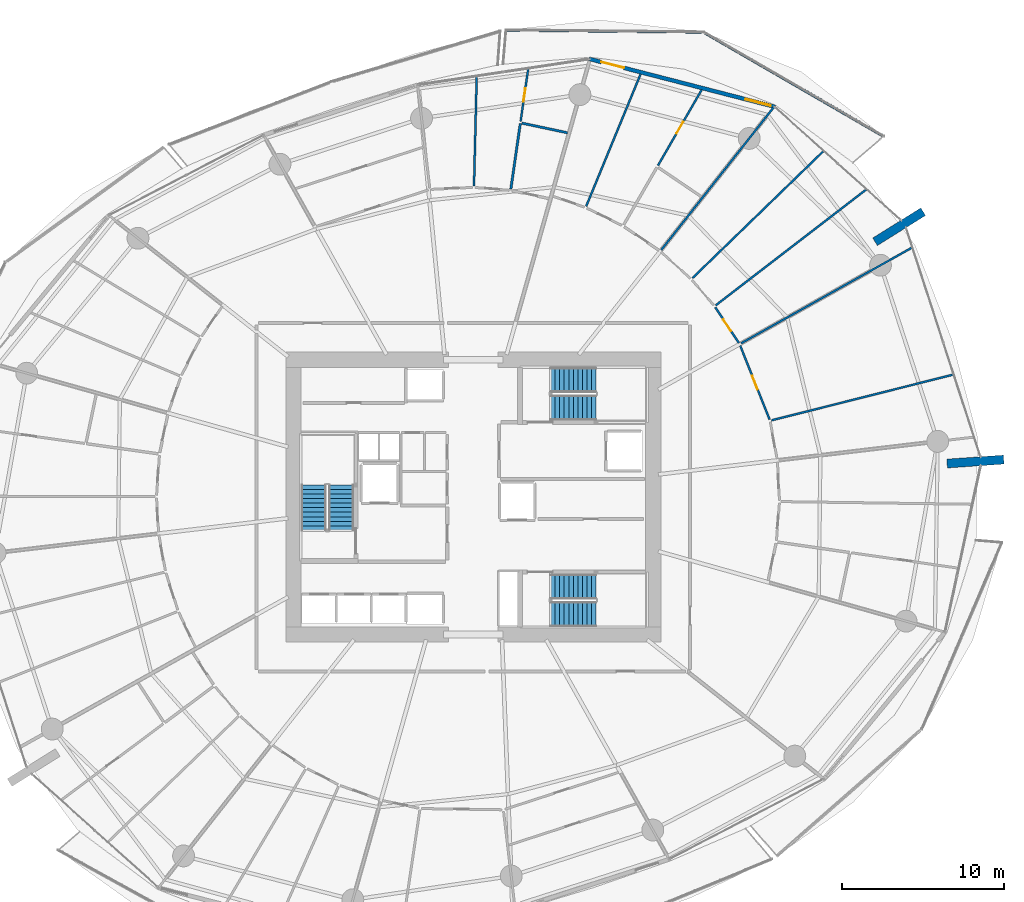
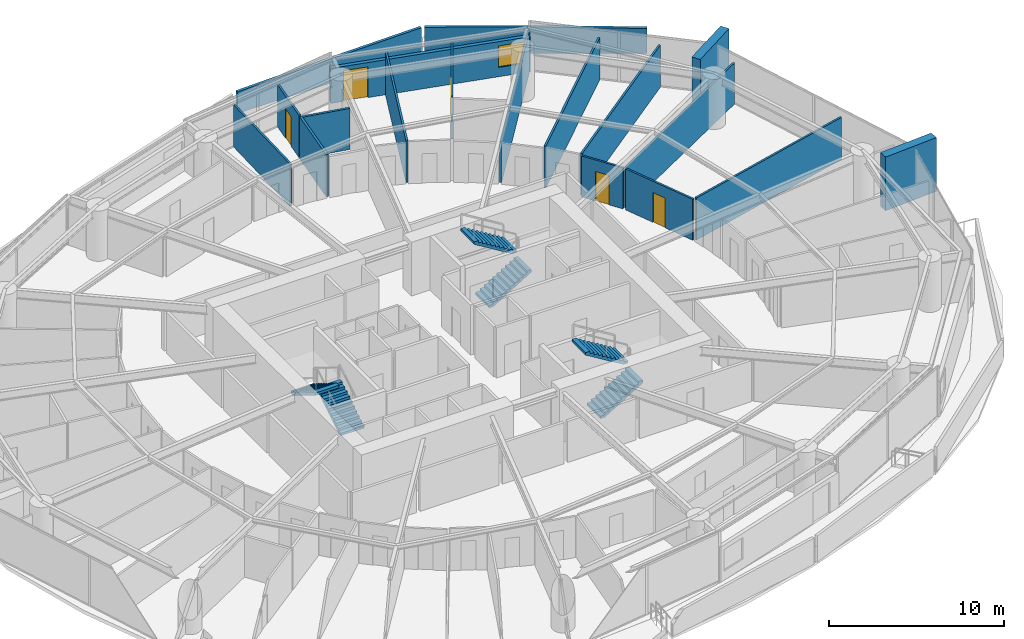
# One storey, part 24 of 31: 18 walls, 6 stair flights, 5 doors, 1 window, 6 openings, 3 elements without a shape of their own.
"""IFC4 building model written with IfcOpenShell, lengths in metres."""

from ifc_helpers import new_model, si_unit, direction, frame, frame_2d, origin, place, context, subcontext, project, spatial, polyline, rectangle, outline, extrude, material, layer, layer_set, type_object, element, fill, aggregate, save


model = new_model("IFC4")

# Units and contexts
model_context = context("Model", 3, precision=1e-05, world=origin(), true_north=direction((0.0, 1.0)))
body_context = subcontext(model_context, "Body", "Model", "MODEL_VIEW")
ifc_project = project(units=[si_unit("LENGTHUNIT", "METRE"), si_unit("AREAUNIT", "SQUARE_METRE"), si_unit("VOLUMEUNIT", "CUBIC_METRE"), si_unit("PLANEANGLEUNIT", "RADIAN"), si_unit("MASSUNIT", "GRAM", prefix="KILO")], contexts=[model_context])

# Site, building, storey
site_placement = place(None, origin())
site = spatial("IfcSite", under=ifc_project, at=site_placement, CompositionType="ELEMENT")
building_placement = place(site_placement, origin())
building = spatial("IfcBuilding", under=site, at=building_placement, Name="Kazma Halo Residences", CompositionType="ELEMENT")
storey_placement = place(building_placement, frame((0.0, 0.0, 41.39990234375)))
storey = spatial("IfcBuildingStorey", under=building, at=storey_placement, Name="L09", CompositionType="ELEMENT", Elevation=41.39990234375)

# Walls
ifc_material_1 = material(Name="White Concrete C50/60 Balustrade", Category="concrete")
ifc_layer_1 = layer(ifc_material_1, 0.179931640625)
ifc_layer_set_1 = layer_set([ifc_layer_1], Name="White Concrete C50/60 Balustrade")
wall_type_1 = type_object("IfcWallType", Name="WL-BAL-WAVE-180", PredefinedType="PARAPET", material=ifc_layer_set_1)
wall_1_placement = place(storey_placement, frame((73.763916015625, 64.278076171875, 0.0), z_axis=(0.0, 0.0, 1.0), x_axis=(-0.865601166392, 0.500734081865, 0.0)))
element("IfcWall", 1, at=wall_1_placement, inside=storey, type_object=wall_type_1, Name="L09 white wave balustrade wall NE.1", PredefinedType="PARAPET", context=body_context, shape_type="SweptSolid", body=[
    extrude(outline(polyline([(0.0, 0.0), (12.739990234375, 0.0), (12.739990234375, 1.83203125), (6.3701171875, 1.85302734375), (0.0, 1.756103515625), (0.0, 0.0)])), frame((0.0, 0.08984375, 0.0), z_axis=(0.0, -1.0, 0.0), x_axis=(1.0, 0.0, 0.0)), (0.0, 0.0, 1.0), 0.179931640625),
])
wall_2_placement = place(storey_placement, frame((62.51220703125, 70.71875, 0.0), z_axis=(0.0, 0.0, 1.0), x_axis=(-0.999947583676, 0.010238647403, 0.0)))
element("IfcWall", 2, at=wall_2_placement, inside=storey, type_object=wall_type_1, Name="L09 white wave balustrade wall NE.2", PredefinedType="PARAPET", context=body_context, shape_type="SweptSolid", body=[
    extrude(outline(polyline([(0.0, 0.0), (12.065673828125, 0.0), (12.065673828125, 1.4970703125), (6.03271484375, 1.696044921875), (0.0, 1.83203125), (0.0, 0.0)])), frame((0.0, 0.08984375, 0.0), z_axis=(0.0, -1.0, 0.0), x_axis=(1.0, 0.0, 0.0)), (0.0, 0.0, 1.0), 0.179931640625),
])
ifc_material_2 = material(Name="Pale Concrete C60/75", Category="concrete")
ifc_layer_2 = layer(ifc_material_2, 0.550048828125)
ifc_layer_set_2 = layer_set([ifc_layer_2], Name="Pale Concrete C60/75")
wall_type_2 = type_object("IfcWallType", Name="WL-BLADE-550", PredefinedType="SOLIDWALL", material=ifc_layer_set_2)
for number, where, z_axis, x_axis, name in (
    (3, (73.229736328125, 57.765380859375, 0.0), (0.0, 0.0, 1.0), (0.848053161125, 0.529911158502, 0.0), "L09 pale concrete structural blade fin wall BW-01"),
    (4, (77.677978515625, 44.0751953125, 0.0), (0.0, 0.0, 1.0), (0.997564163539, 0.069754853754, 0.0), "L09 pale concrete structural blade fin wall BW-04"),
):
    element("IfcWall", number, at=place(storey_placement, frame(where, z_axis=z_axis, x_axis=x_axis)), inside=storey, type_object=wall_type_2, Name=name, PredefinedType="SOLIDWALL", context=body_context, shape_type="SweptSolid", body=[
        extrude(rectangle(XDim=3.5, YDim=0.550048828125, at=frame_2d((1.75, 0.0))), origin(), (0.0, 0.0, 1.0), 3.75),
    ])

# Wall, openings, door, window
ifc_material_3 = material(Name="Insulated Pale-Metal Composite Wall")
ifc_layer_3 = layer(ifc_material_3, 0.239990234375)
ifc_layer_set_3 = layer_set([ifc_layer_3], Name="Insulated Pale-Metal Composite Wall")
wall_type_3 = type_object("IfcWallType", Name="WL-EXT-HOST-240", PredefinedType="SOLIDWALL", material=ifc_layer_set_3)
wall_3_placement = place(storey_placement, frame((67.05419921875, 66.09619140625, 0.0), z_axis=(0.0, 0.0, 1.0), x_axis=(-0.96833871487, 0.249640007378, 0.0)))
wall_3 = element("IfcWall", 5, at=wall_3_placement, inside=storey, type_object=wall_type_3, Name="L09 exterior terrace-access wall B02", PredefinedType="SOLIDWALL", context=body_context, shape_type="SweptSolid", body=[
    extrude(rectangle(XDim=11.85107421875, YDim=0.239990234375, at=frame_2d((5.925537109375, 0.0))), origin(), (0.0, 0.0, 1.0), 2.4501953125),
])
opening_1_placement = place(wall_3_placement, frame((9.631103515625, 0.0, 0.0)))
opening_1 = element("IfcOpeningElement", 6, at=opening_1_placement, cuts=wall_3, Name="Opening DTR-1600", PredefinedType="OPENING", context=body_context, shape_type="SweptSolid", body=[
    extrude(rectangle(XDim=1.449951171875, YDim=2.14990234375, at=frame_2d((0.72509765625, 1.074951171875))), frame((0.0, 0.1298828125, 0.0), z_axis=(0.0, -1.0, 0.0), x_axis=(1.0, 0.0, 0.0)), (0.0, 0.0, 1.0), 0.260009765625),
])
opening_2_placement = place(wall_3_placement, frame((0.280029296875, 0.0, 0.64990234375)))
opening_2 = element("IfcOpeningElement", 7, at=opening_2_placement, cuts=wall_3, Name="Opening W-1800", PredefinedType="OPENING", context=body_context, shape_type="SweptSolid", body=[
    extrude(rectangle(XDim=1.60009765625, YDim=1.5, at=frame_2d((0.800048828125, 0.75))), frame((0.0, 0.1298828125, 0.0), z_axis=(0.0, -1.0, 0.0), x_axis=(1.0, 0.0, 0.0)), (0.0, 0.0, 1.0), 0.260009765625),
])
ifc_material_4 = material(Name="Aluminium AW-6063 T6 Double-Glazed Terrace Door", Category="aluminium")
door_type_1 = type_object("IfcDoorType", Name="DR-EXT-TERR-1600", OperationType="NOTDEFINED", PredefinedType="DOOR", material=ifc_material_4)
door_1_placement = place(opening_1_placement, origin())
door_1 = element("IfcDoor", 8, at=door_1_placement, inside=storey, type_object=door_type_1, Name="L09 B02 balcony terrace door", OperationType="DOUBLE_DOOR_SLIDING", OverallHeight=2.14990234375, OverallWidth=1.449951171875, PredefinedType="DOOR", context=body_context, shape_type="SweptSolid", body=[
    extrude(rectangle(XDim=1.449951171875, YDim=2.14990234375, at=frame_2d((0.72509765625, 1.074951171875))), frame((0.0, 0.02490234375, 0.0), z_axis=(0.0, -1.0, 0.0), x_axis=(1.0, 0.0, 0.0)), (0.0, 0.0, 1.0), 0.050048828125),
])
fill(opening_1, door_1)
ifc_material_5 = material(Name="Clear Triple-Silver Low-E Glass in Aluminium AW-6063 T6 Frame", Category="aluminium")
window_type = type_object("IfcWindowType", Name="WIN-RES-1800", PartitioningType="DOUBLE_PANEL_VERTICAL", PredefinedType="WINDOW", material=ifc_material_5)
window_placement = place(opening_2_placement, origin())
window = element("IfcWindow", 9, at=window_placement, inside=storey, type_object=window_type, Name="L09 B02 apartment window", OverallHeight=1.5, OverallWidth=1.60009765625, PartitioningType="SINGLE_PANEL", PredefinedType="WINDOW", context=body_context, shape_type="SweptSolid", body=[
    extrude(rectangle(XDim=1.60009765625, YDim=1.5, at=frame_2d((0.800048828125, 0.75))), frame((0.0, 0.030029296875, 0.0), z_axis=(0.0, -1.0, 0.0), x_axis=(1.0, 0.0, 0.0)), (0.0, 0.0, 1.0), 0.06005859375),
])
fill(opening_2, window)

# Wall, opening, door
ifc_material_6 = material(Name="Gypsum Plasterboard Partition")
ifc_layer_4 = layer(ifc_material_6, 0.125)
ifc_layer_set_4 = layer_set([ifc_layer_4], Name="Gypsum Plasterboard Partition")
wall_type_4 = type_object("IfcWallType", Name="WL-PART-125", PredefinedType="PARTITIONING", material=ifc_layer_set_4)
wall_4_placement = place(storey_placement, frame((51.348388671875, 65.19970703125, 0.0), z_axis=(0.0, 0.0, 1.0), x_axis=(0.142797074678, 0.989751986845, 0.0)))
wall_4 = element("IfcWall", 10, at=wall_4_placement, inside=storey, type_object=wall_type_4, Name="L09 Apartment 1 Utility Laundry Room partition wall", PredefinedType="PARTITIONING", context=body_context, shape_type="SweptSolid", body=[
    extrude(rectangle(XDim=3.279296875, YDim=0.125, at=frame_2d((1.6396484375, 0.0))), origin(), (0.0, 0.0, 1.0), 2.940185546875),
])
opening_3_placement = place(wall_4_placement, frame((1.214599609375, 0.0, 0.0)))
opening_3 = element("IfcOpeningElement", 11, at=opening_3_placement, cuts=wall_4, Name="Opening DB-900", PredefinedType="OPENING", context=body_context, shape_type="SweptSolid", body=[
    extrude(rectangle(XDim=0.85009765625, YDim=2.06005859375, at=frame_2d((0.425048828125, 1.030029296875))), frame((0.0, 0.072509765625, 0.0), z_axis=(0.0, -1.0, 0.0), x_axis=(1.0, 0.0, 0.0)), (0.0, 0.0, 1.0), 0.14501953125),
])
ifc_material_7 = material(Name="Moisture-Sealed Timber Leaf", Category="wood")
door_type_2 = type_object("IfcDoorType", Name="DR-BTH-900", OperationType="NOTDEFINED", PredefinedType="DOOR", material=ifc_material_7)
door_2_placement = place(opening_3_placement, origin())
door_2 = element("IfcDoor", 12, at=door_2_placement, inside=storey, type_object=door_type_2, Name="L09 Apartment 1 Utility Laundry Room door", OperationType="SINGLE_SWING_LEFT", OverallHeight=2.06005859375, OverallWidth=0.85009765625, PredefinedType="DOOR", context=body_context, shape_type="SweptSolid", body=[
    extrude(rectangle(XDim=0.85009765625, YDim=2.06005859375, at=frame_2d((0.425048828125, 1.030029296875))), frame((0.0, 0.02490234375, 0.0), z_axis=(0.0, -1.0, 0.0), x_axis=(1.0, 0.0, 0.0)), (0.0, 0.0, 1.0), 0.050048828125),
])
fill(opening_3, door_2)

# Walls
wall_5_placement = place(storey_placement, frame((48.47119140625, 61.21435546875, 0.0), z_axis=(0.0, 0.0, 1.0), x_axis=(0.024507226547, 0.999699652819, 0.0)))
element("IfcWall", 13, at=wall_5_placement, inside=storey, type_object=wall_type_4, Name="L09 Apartment 1 suite divider 2", PredefinedType="PARTITIONING", context=body_context, shape_type="SweptSolid", body=[
    extrude(rectangle(XDim=6.754150390625, YDim=0.125, at=frame_2d((3.376953125, 0.0))), origin(), (0.0, 0.0, 1.0), 2.940185546875),
])
wall_6_placement = place(storey_placement, frame((66.83544921875, 46.74169921875, 0.0), z_axis=(0.0, 0.0, 1.0), x_axis=(0.96974434054, 0.244122743698, 0.0)))
element("IfcWall", 14, at=wall_6_placement, inside=storey, type_object=wall_type_4, Name="L09 Apartment 3 mid-bay wall 15", PredefinedType="PARTITIONING", context=body_context, shape_type="SweptSolid", body=[
    extrude(rectangle(XDim=11.579833984375, YDim=0.125, at=frame_2d((5.7900390625, 0.0))), origin(), (0.0, 0.0, 1.0), 2.940185546875),
])

# Wall, opening, door
wall_7_placement = place(storey_placement, frame((66.718505859375, 46.7939453125, 0.0), z_axis=(0.0, 0.0, 1.0), x_axis=(-0.369571376039, 0.929202345032, 0.0)))
wall_7 = element("IfcWall", 15, at=wall_7_placement, inside=storey, type_object=wall_type_4, Name="L09 Apartment 3 Secondary Formal Dining Room hall wall", PredefinedType="PARTITIONING", context=body_context, shape_type="SweptSolid", body=[
    extrude(rectangle(XDim=4.906982421875, YDim=0.125, at=frame_2d((2.45361328125, 0.0))), origin(), (0.0, 0.0, 1.0), 2.8671875),
])
opening_4_placement = place(wall_7_placement, frame((2.003662109375, 0.0, 0.0)))
opening_4 = element("IfcOpeningElement", 16, at=opening_4_placement, cuts=wall_7, Name="Opening DI-950", PredefinedType="OPENING", context=body_context, shape_type="SweptSolid", body=[
    extrude(rectangle(XDim=0.89990234375, YDim=2.080078125, at=frame_2d((0.449951171875, 1.0400390625))), frame((0.0, 0.072509765625, 0.0), z_axis=(0.0, -1.0, 0.0), x_axis=(1.0, 0.0, 0.0)), (0.0, 0.0, 1.0), 0.14501953125),
])
ifc_material_8 = material(Name="Timber Veneer Flush Leaf", Category="wood")
door_type_3 = type_object("IfcDoorType", Name="DR-INT-950", OperationType="NOTDEFINED", PredefinedType="DOOR", material=ifc_material_8)
door_3_placement = place(opening_4_placement, origin())
door_3 = element("IfcDoor", 17, at=door_3_placement, inside=storey, type_object=door_type_3, Name="L09 Apartment 3 Secondary Formal Dining Room door", OperationType="SINGLE_SWING_RIGHT", OverallHeight=2.080078125, OverallWidth=0.89990234375, PredefinedType="DOOR", context=body_context, shape_type="SweptSolid", body=[
    extrude(rectangle(XDim=0.89990234375, YDim=2.080078125, at=frame_2d((0.449951171875, 1.0400390625))), frame((0.0, 0.02490234375, 0.0), z_axis=(0.0, -1.0, 0.0), x_axis=(1.0, 0.0, 0.0)), (0.0, 0.0, 1.0), 0.050048828125),
])
fill(opening_4, door_3)

# Walls
wall_8_placement = place(storey_placement, frame((64.955078125, 51.495361328125, 0.0), z_axis=(0.0, 0.0, 1.0), x_axis=(0.872499825659, 0.488614422857, 0.0)))
element("IfcWall", 18, at=wall_8_placement, inside=storey, type_object=wall_type_4, Name="L09 Apartment 3 radial partition 0", PredefinedType="PARTITIONING", context=body_context, shape_type="SweptSolid", body=[
    extrude(rectangle(XDim=12.105712890625, YDim=0.125, at=frame_2d((6.052734375, 0.0))), origin(), (0.0, 0.0, 1.0), 2.8671875),
])
wall_9_placement = place(storey_placement, frame((63.393798828125, 53.84423828125, 0.0), z_axis=(0.0, 0.0, 1.0), x_axis=(0.792561224619, 0.609792345992, 0.0)))
element("IfcWall", 19, at=wall_9_placement, inside=storey, type_object=wall_type_4, Name="L09 Apartment 3 bay wall 1 0", PredefinedType="PARTITIONING", context=body_context, shape_type="SweptSolid", body=[
    extrude(rectangle(XDim=11.713623046875, YDim=0.125, at=frame_2d((5.85693359375, 0.0))), origin(), (0.0, 0.0, 1.0), 2.940185546875),
])
wall_10_placement = place(storey_placement, frame((61.947998046875, 55.5166015625, 0.0), z_axis=(0.0, 0.0, 1.0), x_axis=(0.718127497198, 0.69591155887, 0.0)))
element("IfcWall", 20, at=wall_10_placement, inside=storey, type_object=wall_type_4, Name="L09 Apartment 3 bay wall 2 0", PredefinedType="PARTITIONING", context=body_context, shape_type="SweptSolid", body=[
    extrude(rectangle(XDim=11.26416015625, YDim=0.125, at=frame_2d((5.632080078125, 0.0))), origin(), (0.0, 0.0, 1.0), 2.940185546875),
])

# Wall, opening, door
wall_11_placement = place(storey_placement, frame((64.823974609375, 51.51318359375, 0.0), z_axis=(0.0, 0.0, 1.0), x_axis=(-0.550627570513, 0.834751027906, 0.0)))
wall_11 = element("IfcWall", 21, at=wall_11_placement, inside=storey, type_object=wall_type_4, Name="L09 Apartment 3 North Master Bedroom hall wall", PredefinedType="PARTITIONING", context=body_context, shape_type="SweptSolid", body=[
    extrude(rectangle(XDim=2.646484375, YDim=0.125, at=frame_2d((1.3232421875, 0.0))), origin(), (0.0, 0.0, 1.0), 2.8671875),
])
opening_5_placement = place(wall_11_placement, frame((0.898193359375, 0.0, 0.0)))
opening_5 = element("IfcOpeningElement", 22, at=opening_5_placement, cuts=wall_11, Name="Opening DB-900", PredefinedType="OPENING", context=body_context, shape_type="SweptSolid", body=[
    extrude(rectangle(XDim=0.85009765625, YDim=2.06005859375, at=frame_2d((0.425048828125, 1.030029296875))), frame((0.0, 0.072509765625, 0.0), z_axis=(0.0, -1.0, 0.0), x_axis=(1.0, 0.0, 0.0)), (0.0, 0.0, 1.0), 0.14501953125),
])
door_4_placement = place(opening_5_placement, origin())
door_4 = element("IfcDoor", 23, at=door_4_placement, inside=storey, type_object=door_type_2, Name="L09 Apartment 3 North Master Bedroom door", OperationType="SINGLE_SWING_LEFT", OverallHeight=2.06005859375, OverallWidth=0.85009765625, PredefinedType="DOOR", context=body_context, shape_type="SweptSolid", body=[
    extrude(rectangle(XDim=0.85009765625, YDim=2.06005859375, at=frame_2d((0.425048828125, 1.030029296875))), frame((0.0, 0.02490234375, 0.0), z_axis=(0.0, -1.0, 0.0), x_axis=(1.0, 0.0, 0.0)), (0.0, 0.0, 1.0), 0.050048828125),
])
fill(opening_5, door_4)

# Wall
wall_12_placement = place(storey_placement, frame((60.03076171875, 57.260986328125, 0.0), z_axis=(0.0, 0.0, 1.0), x_axis=(0.619090661436, 0.78531952282, 0.0)))
element("IfcWall", 24, at=wall_12_placement, inside=storey, type_object=wall_type_4, Name="L09 Apartment 3 radial partition 1", PredefinedType="PARTITIONING", context=body_context, shape_type="SweptSolid", body=[
    extrude(rectangle(XDim=11.241455078125, YDim=0.125, at=frame_2d((5.62060546875, 0.0))), origin(), (0.0, 0.0, 1.0), 2.8671875),
])

# Wall, opening, door
wall_13_placement = place(storey_placement, frame((59.826904296875, 62.472412109375, 0.0), z_axis=(0.0, 0.0, 1.0), x_axis=(0.500211191889, 0.865903437751, 0.0)))
wall_13 = element("IfcWall", 25, at=wall_13_placement, inside=storey, type_object=wall_type_4, Name="L09 Apartment 3 Corner Walk-In Wardrobe partition wall", PredefinedType="PARTITIONING", context=body_context, shape_type="SweptSolid", body=[
    extrude(rectangle(XDim=5.390380859375, YDim=0.125, at=frame_2d((2.6953125, 0.0))), origin(), (0.0, 0.0, 1.0), 2.940185546875),
])
opening_6_placement = place(wall_13_placement, frame((2.270263671875, 0.0, 0.0)))
opening_6 = element("IfcOpeningElement", 26, at=opening_6_placement, cuts=wall_13, Name="Opening DB-900", PredefinedType="OPENING", context=body_context, shape_type="SweptSolid", body=[
    extrude(rectangle(XDim=0.85009765625, YDim=2.06005859375, at=frame_2d((0.425048828125, 1.030029296875))), frame((0.0, 0.072509765625, 0.0), z_axis=(0.0, -1.0, 0.0), x_axis=(1.0, 0.0, 0.0)), (0.0, 0.0, 1.0), 0.14501953125),
])
door_5_placement = place(opening_6_placement, origin())
door_5 = element("IfcDoor", 27, at=door_5_placement, inside=storey, type_object=door_type_2, Name="L09 Apartment 3 Corner Walk-In Wardrobe door", OperationType="SINGLE_SWING_RIGHT", OverallHeight=2.06005859375, OverallWidth=0.85009765625, PredefinedType="DOOR", context=body_context, shape_type="SweptSolid", body=[
    extrude(rectangle(XDim=0.85009765625, YDim=2.06005859375, at=frame_2d((0.425048828125, 1.030029296875))), frame((0.0, 0.02490234375, 0.0), z_axis=(0.0, -1.0, 0.0), x_axis=(1.0, 0.0, 0.0)), (0.0, 0.0, 1.0), 0.050048828125),
])
fill(opening_6, door_5)

# Walls
wall_14_placement = place(storey_placement, frame((55.396240234375, 59.959716796875, 0.0), z_axis=(0.0, 0.0, 1.0), x_axis=(0.380799964435, 0.924657443103, 0.0)))
element("IfcWall", 28, at=wall_14_placement, inside=storey, type_object=wall_type_4, Name="L09 Apartment 3 suite divider 1", PredefinedType="PARTITIONING", context=body_context, shape_type="SweptSolid", body=[
    extrude(rectangle(XDim=8.81298828125, YDim=0.125, at=frame_2d((4.406494140625, 0.0))), origin(), (0.0, 0.0, 1.0), 2.940185546875),
])
ifc_material_9 = material(Name="Moisture-Resistant Gypsum")
ifc_layer_5 = layer(ifc_material_9, 0.14990234375)
ifc_layer_set_5 = layer_set([ifc_layer_5], Name="Moisture-Resistant Gypsum")
wall_type_5 = type_object("IfcWallType", Name="WL-WET-150", PredefinedType="PARTITIONING", material=ifc_layer_set_5)
wall_15_placement = place(storey_placement, frame((54.240234375, 64.494140625, 0.0), z_axis=(0.0, 0.0, 1.0), x_axis=(-0.978224736895, 0.207548462118, 0.0)))
element("IfcWall", 29, at=wall_15_placement, inside=storey, type_object=wall_type_5, Name="L09 Apartment 1 Guest Bathroom back wall", PredefinedType="PARTITIONING", context=body_context, shape_type="SweptSolid", body=[
    extrude(rectangle(XDim=2.879638671875, YDim=0.14990234375, at=frame_2d((1.43994140625, 0.0))), origin(), (0.0, 0.0, 1.0), 2.8671875),
])
wall_16_placement = place(storey_placement, frame((50.74560546875, 61.02294921875, 0.0), z_axis=(0.0, 0.0, 1.0), x_axis=(0.142791831245, 0.98975274333, 0.0)))
element("IfcWall", 30, at=wall_16_placement, inside=storey, type_object=wall_type_5, Name="L09 Apartment 1 Guest Bathroom side wall", PredefinedType="PARTITIONING", context=body_context, shape_type="SweptSolid", body=[
    extrude(rectangle(XDim=4.08984375, YDim=0.14990234375, at=frame_2d((2.044921875, 0.0))), origin(), (0.0, 0.0, 1.0), 2.940185546875),
])

# Stair, stair flights
ifc_material_10 = material(Name="Concrete C50/60", Category="concrete")
stair_type = type_object("IfcStairType", Name="STR-RES1", PredefinedType="HALF_TURN_STAIR", material=ifc_material_10)
stair_1_placement = place(storey_placement, origin())
stair_1 = element("IfcStair", 31, at=stair_1_placement, inside=storey, type_object=stair_type, Name="L09 Core exit stair ST-01", PredefinedType="HALF_TURN_STAIR")
stair_flight_type = type_object("IfcStairFlightType", Name="STR-RES1-FLT", PredefinedType="STRAIGHT", material=ifc_material_10)
stair_flight_1_placement = place(storey_placement, frame((40.27490234375, 39.949951171875, 0.0), z_axis=(0.0, 0.0, 1.0), x_axis=(0.0, 1.0, 0.0)))
stair_flight_1 = element("IfcStairFlight", 32, at=stair_flight_1_placement, type_object=stair_flight_type, Name="ST-01 flight 1", NumberOfRisers=11, NumberOfTreads=10, PredefinedType="STRAIGHT", RiserHeight=0.170454545, TreadLength=0.28, context=body_context, shape_type="SweptSolid", body=[
    extrude(outline(polyline([(0.0, 0.0), (0.0, 0.17041015625), (0.280029296875, 0.17041015625), (0.280029296875, 0.3408203125), (0.56005859375, 0.3408203125), (0.56005859375, 0.511474609375), (0.840087890625, 0.511474609375), (0.840087890625, 0.681884765625), (1.1201171875, 0.681884765625), (1.1201171875, 0.852294921875), (1.39990234375, 0.852294921875), (1.39990234375, 1.022705078125), (1.679931640625, 1.022705078125), (1.679931640625, 1.193115234375), (1.9599609375, 1.193115234375), (1.9599609375, 1.363525390625), (2.239990234375, 1.363525390625), (2.239990234375, 1.5341796875), (2.52001953125, 1.5341796875), (2.52001953125, 1.70458984375), (2.800048828125, 1.70458984375), (2.800048828125, 1.875), (2.800048828125, 1.529052734375), (0.288330078125, 0.0), (0.0, 0.0)])), frame((0.0, 0.77490234375, 0.0), z_axis=(0.0, -1.0, 0.0), x_axis=(1.0, 0.0, 0.0)), (0.0, 0.0, 1.0), 1.550048828125),
])
stair_flight_2_placement = place(storey_placement, frame((38.574951171875, 42.75, 1.875), z_axis=(0.0, 0.0, 1.0), x_axis=(0.0, -1.0, 0.0)))
stair_flight_2 = element("IfcStairFlight", 33, at=stair_flight_2_placement, type_object=stair_flight_type, Name="ST-01 flight 2", NumberOfRisers=11, NumberOfTreads=10, PredefinedType="STRAIGHT", RiserHeight=0.170454545, TreadLength=0.28, context=body_context, shape_type="SweptSolid", body=[
    extrude(outline(polyline([(0.0, 0.0), (0.0, 0.17041015625), (0.280029296875, 0.17041015625), (0.280029296875, 0.3408203125), (0.56005859375, 0.3408203125), (0.56005859375, 0.511474609375), (0.840087890625, 0.511474609375), (0.840087890625, 0.681884765625), (1.1201171875, 0.681884765625), (1.1201171875, 0.852294921875), (1.39990234375, 0.852294921875), (1.39990234375, 1.022705078125), (1.679931640625, 1.022705078125), (1.679931640625, 1.193115234375), (1.9599609375, 1.193115234375), (1.9599609375, 1.363525390625), (2.239990234375, 1.363525390625), (2.239990234375, 1.5341796875), (2.52001953125, 1.5341796875), (2.52001953125, 1.70458984375), (2.800048828125, 1.70458984375), (2.800048828125, 1.875), (2.800048828125, 1.529052734375), (0.288330078125, 0.0), (0.0, 0.0)])), frame((0.0, 0.77490234375, 0.0), z_axis=(0.0, -1.0, 0.0), x_axis=(1.0, 0.0, 0.0)), (0.0, 0.0, 1.0), 1.550048828125),
])
aggregate(stair_1, [stair_flight_1, stair_flight_2])

stair_2_placement = place(storey_placement, origin())
stair_2 = element("IfcStair", 34, at=stair_2_placement, inside=storey, type_object=stair_type, Name="L09 Core exit stair ST-02", PredefinedType="HALF_TURN_STAIR")
stair_flight_3_placement = place(storey_placement, frame((53.199951171875, 47.52490234375, 0.0), z_axis=(0.0, 0.0, 1.0), x_axis=(1.0, 0.0, 0.0)))
stair_flight_3 = element("IfcStairFlight", 35, at=stair_flight_3_placement, type_object=stair_flight_type, Name="ST-02 flight 1", NumberOfRisers=11, NumberOfTreads=10, PredefinedType="STRAIGHT", RiserHeight=0.170454545, TreadLength=0.28, context=body_context, shape_type="SweptSolid", body=[
    extrude(outline(polyline([(0.0, 0.0), (0.0, 0.17041015625), (0.280029296875, 0.17041015625), (0.280029296875, 0.3408203125), (0.56005859375, 0.3408203125), (0.56005859375, 0.511474609375), (0.840087890625, 0.511474609375), (0.840087890625, 0.681884765625), (1.1201171875, 0.681884765625), (1.1201171875, 0.852294921875), (1.39990234375, 0.852294921875), (1.39990234375, 1.022705078125), (1.679931640625, 1.022705078125), (1.679931640625, 1.193115234375), (1.9599609375, 1.193115234375), (1.9599609375, 1.363525390625), (2.239990234375, 1.363525390625), (2.239990234375, 1.5341796875), (2.52001953125, 1.5341796875), (2.52001953125, 1.70458984375), (2.800048828125, 1.70458984375), (2.800048828125, 1.875), (2.800048828125, 1.529052734375), (0.288330078125, 0.0), (0.0, 0.0)])), frame((0.0, 0.77490234375, 0.0), z_axis=(0.0, -1.0, 0.0), x_axis=(1.0, 0.0, 0.0)), (0.0, 0.0, 1.0), 1.550048828125),
])
stair_flight_4_placement = place(storey_placement, frame((56.0, 49.22509765625, 1.875), z_axis=(0.0, 0.0, 1.0), x_axis=(-1.0, 0.0, 0.0)))
stair_flight_4 = element("IfcStairFlight", 36, at=stair_flight_4_placement, type_object=stair_flight_type, Name="ST-02 flight 2", NumberOfRisers=11, NumberOfTreads=10, PredefinedType="STRAIGHT", RiserHeight=0.170454545, TreadLength=0.28, context=body_context, shape_type="SweptSolid", body=[
    extrude(outline(polyline([(0.0, 0.0), (0.0, 0.17041015625), (0.280029296875, 0.17041015625), (0.280029296875, 0.3408203125), (0.56005859375, 0.3408203125), (0.56005859375, 0.511474609375), (0.840087890625, 0.511474609375), (0.840087890625, 0.681884765625), (1.1201171875, 0.681884765625), (1.1201171875, 0.852294921875), (1.39990234375, 0.852294921875), (1.39990234375, 1.022705078125), (1.679931640625, 1.022705078125), (1.679931640625, 1.193115234375), (1.9599609375, 1.193115234375), (1.9599609375, 1.363525390625), (2.239990234375, 1.363525390625), (2.239990234375, 1.5341796875), (2.52001953125, 1.5341796875), (2.52001953125, 1.70458984375), (2.800048828125, 1.70458984375), (2.800048828125, 1.875), (2.800048828125, 1.529052734375), (0.288330078125, 0.0), (0.0, 0.0)])), frame((0.0, 0.77490234375, 0.0), z_axis=(0.0, -1.0, 0.0), x_axis=(1.0, 0.0, 0.0)), (0.0, 0.0, 1.0), 1.550048828125),
])
aggregate(stair_2, [stair_flight_3, stair_flight_4])

stair_3_placement = place(storey_placement, origin())
stair_3 = element("IfcStair", 37, at=stair_3_placement, inside=storey, type_object=stair_type, Name="L09 Core exit stair ST-03", PredefinedType="HALF_TURN_STAIR")
stair_flight_5_placement = place(storey_placement, frame((53.199951171875, 34.77490234375, 0.0), z_axis=(0.0, 0.0, 1.0), x_axis=(1.0, 0.0, 0.0)))
stair_flight_5 = element("IfcStairFlight", 38, at=stair_flight_5_placement, type_object=stair_flight_type, Name="ST-03 flight 1", NumberOfRisers=11, NumberOfTreads=10, PredefinedType="STRAIGHT", RiserHeight=0.170454545, TreadLength=0.28, context=body_context, shape_type="SweptSolid", body=[
    extrude(outline(polyline([(0.0, 0.0), (0.0, 0.17041015625), (0.280029296875, 0.17041015625), (0.280029296875, 0.3408203125), (0.56005859375, 0.3408203125), (0.56005859375, 0.511474609375), (0.840087890625, 0.511474609375), (0.840087890625, 0.681884765625), (1.1201171875, 0.681884765625), (1.1201171875, 0.852294921875), (1.39990234375, 0.852294921875), (1.39990234375, 1.022705078125), (1.679931640625, 1.022705078125), (1.679931640625, 1.193115234375), (1.9599609375, 1.193115234375), (1.9599609375, 1.363525390625), (2.239990234375, 1.363525390625), (2.239990234375, 1.5341796875), (2.52001953125, 1.5341796875), (2.52001953125, 1.70458984375), (2.800048828125, 1.70458984375), (2.800048828125, 1.875), (2.800048828125, 1.529052734375), (0.288330078125, 0.0), (0.0, 0.0)])), frame((0.0, 0.77490234375, 0.0), z_axis=(0.0, -1.0, 0.0), x_axis=(1.0, 0.0, 0.0)), (0.0, 0.0, 1.0), 1.550048828125),
])
stair_flight_6_placement = place(storey_placement, frame((56.0, 36.47509765625, 1.875), z_axis=(0.0, 0.0, 1.0), x_axis=(-1.0, 0.0, 0.0)))
stair_flight_6 = element("IfcStairFlight", 39, at=stair_flight_6_placement, type_object=stair_flight_type, Name="ST-03 flight 2", NumberOfRisers=11, NumberOfTreads=10, PredefinedType="STRAIGHT", RiserHeight=0.170454545, TreadLength=0.28, context=body_context, shape_type="SweptSolid", body=[
    extrude(outline(polyline([(0.0, 0.0), (0.0, 0.17041015625), (0.280029296875, 0.17041015625), (0.280029296875, 0.3408203125), (0.56005859375, 0.3408203125), (0.56005859375, 0.511474609375), (0.840087890625, 0.511474609375), (0.840087890625, 0.681884765625), (1.1201171875, 0.681884765625), (1.1201171875, 0.852294921875), (1.39990234375, 0.852294921875), (1.39990234375, 1.022705078125), (1.679931640625, 1.022705078125), (1.679931640625, 1.193115234375), (1.9599609375, 1.193115234375), (1.9599609375, 1.363525390625), (2.239990234375, 1.363525390625), (2.239990234375, 1.5341796875), (2.52001953125, 1.5341796875), (2.52001953125, 1.70458984375), (2.800048828125, 1.70458984375), (2.800048828125, 1.875), (2.800048828125, 1.529052734375), (0.288330078125, 0.0), (0.0, 0.0)])), frame((0.0, 0.77490234375, 0.0), z_axis=(0.0, -1.0, 0.0), x_axis=(1.0, 0.0, 0.0)), (0.0, 0.0, 1.0), 1.550048828125),
])
aggregate(stair_3, [stair_flight_5, stair_flight_6])

save(model, "model.ifc")
